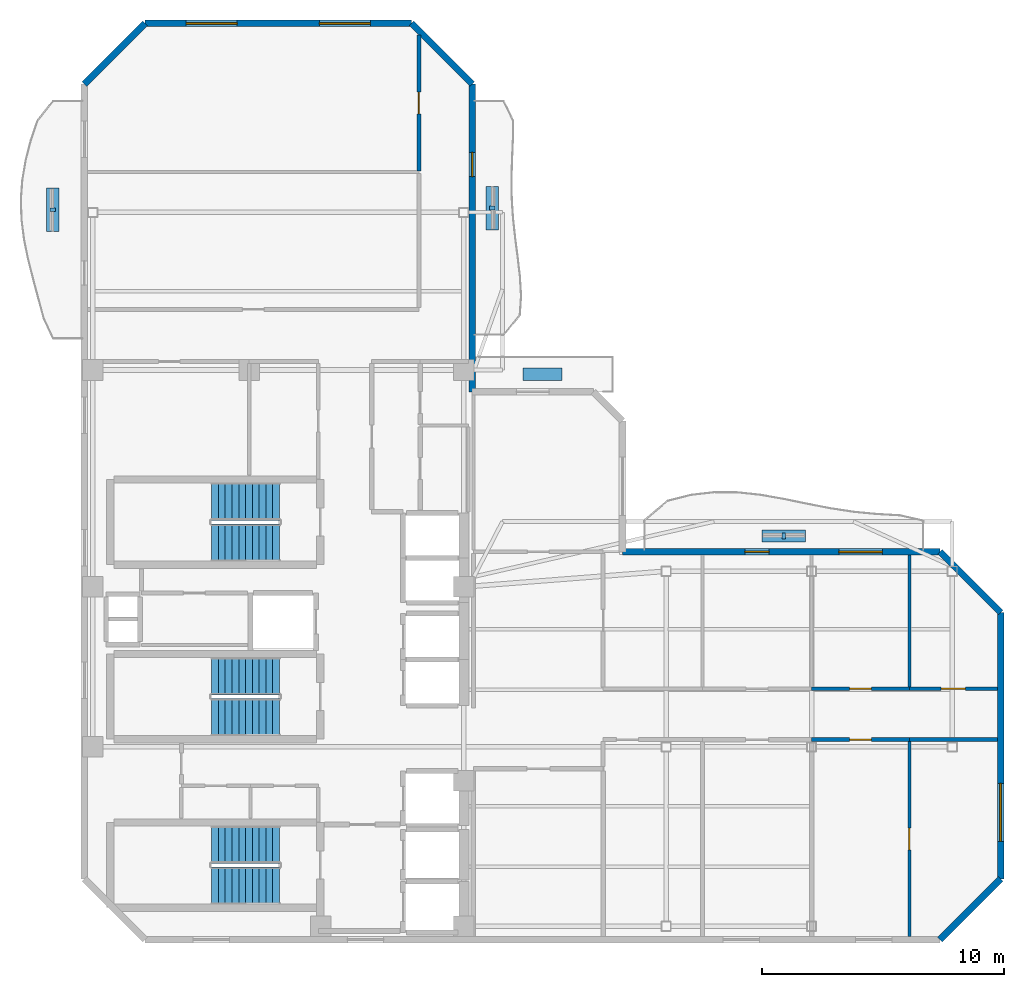
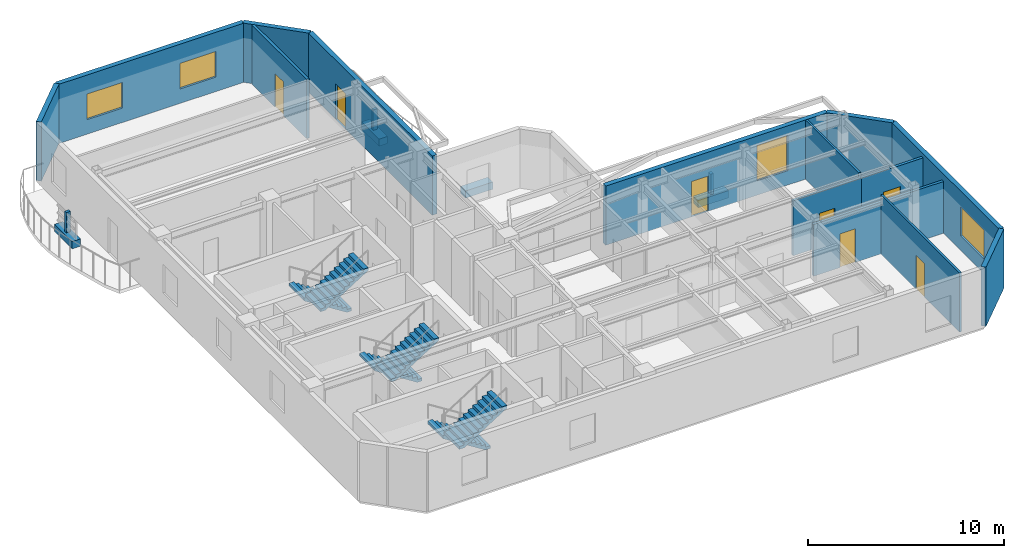
# One storey, part 5 of 8: 15 walls, 7 discrete accessories, 7 doors, 6 stair flights, 4 windows, 11 openings, 3 elements without a shape of their own.
"""IFC4 building model written with IfcOpenShell, lengths in metres."""

from ifc_helpers import new_model, si_unit, direction, frame, frame_2d, origin, origin_2d, place, context, subcontext, project, spatial, polyline, rectangle, outline, extrude, material, layer, layer_set, type_object, element, fill, aggregate, save


model = new_model("IFC4")

# Units and contexts
model_context = context("Model", 3, precision=1e-05, world=origin(), true_north=direction((0.0, 1.0)))
body_context = subcontext(model_context, "Body", "Model", "MODEL_VIEW")
ifc_project = project(units=[si_unit("LENGTHUNIT", "METRE"), si_unit("AREAUNIT", "SQUARE_METRE"), si_unit("VOLUMEUNIT", "CUBIC_METRE"), si_unit("PLANEANGLEUNIT", "RADIAN"), si_unit("MASSUNIT", "GRAM", prefix="KILO")], contexts=[model_context])

# Site, building, storey
site_placement = place(None, origin())
site = spatial("IfcSite", under=ifc_project, at=site_placement, CompositionType="ELEMENT")
building_placement = place(site_placement, origin())
building = spatial("IfcBuilding", under=site, at=building_placement, Name="Mawjaban Terraces University", CompositionType="ELEMENT")
storey_placement = place(building_placement, frame((0.0, 0.0, 267.699951171875)))
storey = spatial("IfcBuildingStorey", under=building, at=storey_placement, Name="L65", CompositionType="ELEMENT", Elevation=267.699951171875)

# Wall, opening, door
ifc_material_1 = material(Name="Fire-rated gypsum board on steel stud", Category="steel")
ifc_layer_1 = layer(ifc_material_1, 0.159912109375)
ifc_layer_set_1 = layer_set([ifc_layer_1], Name="Fire-rated gypsum board on steel stud")
wall_type_1 = type_object("IfcWallType", Name="CorridorPartition_160", PredefinedType="PARTITIONING", material=ifc_layer_set_1)
wall_1_placement = place(storey_placement, frame((52.0, 8.25, 0.0), z_axis=(0.0, 0.0, 1.0), x_axis=(1.0, 0.0, 0.0)))
wall_1 = element("IfcWall", 1, at=wall_1_placement, inside=storey, type_object=wall_type_1, Name="L65 Upper East Research Corridor Partition 20", PredefinedType="PARTITIONING", context=body_context, shape_type="SweptSolid", body=[
    extrude(rectangle(XDim=4.030029296875, YDim=0.159912109375, at=frame_2d((2.01513671875, 0.0))), origin(), (0.0, 0.0, 1.0), 3.22705078125),
])
opening_1_placement = place(wall_1_placement, frame((1.56494140625, 0.0, 0.0)))
opening_1 = element("IfcOpeningElement", 2, at=opening_1_placement, cuts=wall_1, Name="Opening ID-090", PredefinedType="OPENING", context=body_context, shape_type="SweptSolid", body=[
    extrude(rectangle(XDim=0.89990234375, YDim=2.10009765625, at=frame_2d((0.449951171875, 1.050048828125))), frame((0.0, 0.08984375, 0.0), z_axis=(0.0, -1.0, 0.0), x_axis=(1.0, 0.0, 0.0)), (0.0, 0.0, 1.0), 0.179931640625),
])
ifc_material_2 = material(Name="Powder-coated steel frame and solid acoustic timber leaf", Category="steel")
door_type_1 = type_object("IfcDoorType", Name="OfficeDoor_900x2100", OperationType="NOTDEFINED", PredefinedType="DOOR", material=ifc_material_2)
door_1_placement = place(opening_1_placement, origin())
door_1 = element("IfcDoor", 3, at=door_1_placement, inside=storey, type_object=door_type_1, Name="L65 Reading Salon 6 Door", OperationType="SINGLE_SWING_LEFT", OverallHeight=2.10009765625, OverallWidth=0.89990234375, PredefinedType="DOOR", context=body_context, shape_type="SweptSolid", body=[
    extrude(rectangle(XDim=0.89990234375, YDim=2.10009765625, at=frame_2d((0.449951171875, 1.050048828125))), frame((0.0, 0.02490234375, 0.0), z_axis=(0.0, -1.0, 0.0), x_axis=(1.0, 0.0, 0.0)), (0.0, 0.0, 1.0), 0.050048828125),
])
fill(opening_1, door_1)

# Wall
wall_2_placement = place(storey_placement, frame((56.030029296875, 8.25, 0.0), z_axis=(0.0, 0.0, 1.0), x_axis=(1.0, 0.0, 0.0)))
element("IfcWall", 4, at=wall_2_placement, inside=storey, type_object=wall_type_1, Name="L65 Upper East Research Corridor Partition 22", PredefinedType="PARTITIONING", context=body_context, shape_type="SweptSolid", body=[
    extrude(rectangle(XDim=3.636962890625, YDim=0.159912109375, at=frame_2d((1.818359375, 0.0))), origin(), (0.0, 0.0, 1.0), 3.22705078125),
])

# Wall, opening, door
wall_3_placement = place(storey_placement, frame((56.030029296875, 10.35009765625, 0.0), z_axis=(0.0, 0.0, 1.0), x_axis=(-1.0, 0.0, 0.0)))
wall_3 = element("IfcWall", 5, at=wall_3_placement, inside=storey, type_object=wall_type_1, Name="L65 Upper East Research Corridor Partition 23", PredefinedType="PARTITIONING", context=body_context, shape_type="SweptSolid", body=[
    extrude(rectangle(XDim=4.030029296875, YDim=0.159912109375, at=frame_2d((2.01513671875, 0.0))), origin(), (0.0, 0.0, 1.0), 3.424072265625),
])
opening_2_placement = place(wall_3_placement, frame((1.56494140625, 0.0, 0.0)))
opening_2 = element("IfcOpeningElement", 6, at=opening_2_placement, cuts=wall_3, Name="Opening ID-090", PredefinedType="OPENING", context=body_context, shape_type="SweptSolid", body=[
    extrude(rectangle(XDim=0.89990234375, YDim=2.10009765625, at=frame_2d((0.449951171875, 1.050048828125))), frame((0.0, 0.08984375, 0.0), z_axis=(0.0, -1.0, 0.0), x_axis=(1.0, 0.0, 0.0)), (0.0, 0.0, 1.0), 0.179931640625),
])
door_2_placement = place(opening_2_placement, origin())
door_2 = element("IfcDoor", 7, at=door_2_placement, inside=storey, type_object=door_type_1, Name="L65 Academic Counseling Room 7 Door", OperationType="SINGLE_SWING_RIGHT", OverallHeight=2.10009765625, OverallWidth=0.89990234375, PredefinedType="DOOR", context=body_context, shape_type="SweptSolid", body=[
    extrude(rectangle(XDim=0.89990234375, YDim=2.10009765625, at=frame_2d((0.449951171875, 1.050048828125))), frame((0.0, 0.02490234375, 0.0), z_axis=(0.0, -1.0, 0.0), x_axis=(1.0, 0.0, 0.0)), (0.0, 0.0, 1.0), 0.050048828125),
])
fill(opening_2, door_2)

wall_4_placement = place(storey_placement, frame((59.6669921875, 10.35009765625, 0.0), z_axis=(0.0, 0.0, 1.0), x_axis=(-1.0, 0.0, 0.0)))
wall_4 = element("IfcWall", 8, at=wall_4_placement, inside=storey, type_object=wall_type_1, Name="L65 Upper East Research Corridor Partition 24", PredefinedType="PARTITIONING", context=body_context, shape_type="SweptSolid", body=[
    extrude(rectangle(XDim=3.636962890625, YDim=0.159912109375, at=frame_2d((1.818359375, 0.0))), origin(), (0.0, 0.0, 1.0), 3.424072265625),
])
opening_3_placement = place(wall_4_placement, frame((1.319091796875, 0.0, 0.0)))
opening_3 = element("IfcOpeningElement", 9, at=opening_3_placement, cuts=wall_4, Name="Opening ID-100", PredefinedType="OPENING", context=body_context, shape_type="SweptSolid", body=[
    extrude(rectangle(XDim=1.0, YDim=2.10009765625, at=frame_2d((0.5, 1.050048828125))), frame((0.0, 0.08984375, 0.0), z_axis=(0.0, -1.0, 0.0), x_axis=(1.0, 0.0, 0.0)), (0.0, 0.0, 1.0), 0.179931640625),
])
door_type_2 = type_object("IfcDoorType", Name="ClassroomDoor_1000x2100", OperationType="NOTDEFINED", PredefinedType="DOOR", material=ifc_material_2)
door_3_placement = place(opening_3_placement, origin())
door_3 = element("IfcDoor", 10, at=door_3_placement, inside=storey, type_object=door_type_2, Name="L65 Classroom 9 Door", OperationType="SINGLE_SWING_RIGHT", OverallHeight=2.10009765625, OverallWidth=1.0, PredefinedType="DOOR", context=body_context, shape_type="SweptSolid", body=[
    extrude(rectangle(XDim=1.0, YDim=2.10009765625, at=frame_2d((0.5, 1.050048828125))), frame((0.0, 0.02490234375, 0.0), z_axis=(0.0, -1.0, 0.0), x_axis=(1.0, 0.0, 0.0)), (0.0, 0.0, 1.0), 0.050048828125),
])
fill(opening_3, door_3)

wall_5_placement = place(storey_placement, frame((35.800048828125, 37.31298828125, 0.0), z_axis=(0.0, 0.0, 1.0), x_axis=(0.0, -1.0, 0.0)))
wall_5 = element("IfcWall", 11, at=wall_5_placement, inside=storey, type_object=wall_type_1, Name="L65 Upper North Research Gallery Partition 34", PredefinedType="PARTITIONING", context=body_context, shape_type="SweptSolid", body=[
    extrude(rectangle(XDim=5.594970703125, YDim=0.159912109375, at=frame_2d((2.79736328125, 0.0))), origin(), (0.0, 0.0, 1.0), 3.68994140625),
])
opening_4_placement = place(wall_5_placement, frame((2.347900390625, 0.0, 0.0)))
opening_4 = element("IfcOpeningElement", 12, at=opening_4_placement, cuts=wall_5, Name="Opening ID-090", PredefinedType="OPENING", context=body_context, shape_type="SweptSolid", body=[
    extrude(rectangle(XDim=0.89990234375, YDim=2.10009765625, at=frame_2d((0.449951171875, 1.050048828125))), frame((0.0, 0.08984375, 0.0), z_axis=(0.0, -1.0, 0.0), x_axis=(1.0, 0.0, 0.0)), (0.0, 0.0, 1.0), 0.179931640625),
])
door_4_placement = place(opening_4_placement, origin())
door_4 = element("IfcDoor", 13, at=door_4_placement, inside=storey, type_object=door_type_1, Name="L65 Faculty Office 11 Door", OperationType="SINGLE_SWING_RIGHT", OverallHeight=2.10009765625, OverallWidth=0.89990234375, PredefinedType="DOOR", context=body_context, shape_type="SweptSolid", body=[
    extrude(rectangle(XDim=0.89990234375, YDim=2.10009765625, at=frame_2d((0.449951171875, 1.050048828125))), frame((0.0, 0.02490234375, 0.0), z_axis=(0.0, -1.0, 0.0), x_axis=(1.0, 0.0, 0.0)), (0.0, 0.0, 1.0), 0.050048828125),
])
fill(opening_4, door_4)

# Wall
ifc_material_3 = material(Name="Insulated terracotta rainscreen on concrete backup C40/50", Category="masonry")
ifc_layer_2 = layer(ifc_material_3, 0.27490234375)
ifc_layer_set_2 = layer_set([ifc_layer_2], Name="Insulated terracotta rainscreen on concrete backup C40/50")
wall_type_2 = type_object("IfcWallType", Name="ExtTerracottaWall_275", PredefinedType="SOLIDWALL", material=ifc_layer_set_2)
wall_6_placement = place(storey_placement, frame((57.300048828125, 0.0, 0.0), z_axis=(0.0, 0.0, 1.0), x_axis=(0.707106781187, 0.707106781187, 0.0)))
element("IfcWall", 14, at=wall_6_placement, inside=storey, type_object=wall_type_2, Name="L65 Exterior Terracotta Wall 2", PredefinedType="SOLIDWALL", context=body_context, shape_type="SweptSolid", body=[
    extrude(rectangle(XDim=3.53564453125, YDim=0.27490234375, at=frame_2d((1.767822265625, 0.0))), origin(), (0.0, 0.0, 1.0), 3.68994140625),
])

# Wall, opening, window
wall_7_placement = place(storey_placement, frame((59.800048828125, 2.5, 0.0), z_axis=(0.0, 0.0, 1.0), x_axis=(0.0, 1.0, 0.0)))
wall_7 = element("IfcWall", 15, at=wall_7_placement, inside=storey, type_object=wall_type_2, Name="L65 Exterior Terracotta Wall 3", PredefinedType="SOLIDWALL", context=body_context, shape_type="SweptSolid", body=[
    extrude(rectangle(XDim=11.0, YDim=0.27490234375, at=frame_2d((5.5, 0.0))), origin(), (0.0, 0.0, 1.0), 3.68994140625),
])
opening_5_placement = place(wall_7_placement, frame((1.550048828125, 0.0, 0.89990234375)))
opening_5 = element("IfcOpeningElement", 16, at=opening_5_placement, cuts=wall_7, Name="Opening W-08", PredefinedType="OPENING", context=body_context, shape_type="SweptSolid", body=[
    extrude(rectangle(XDim=2.39990234375, YDim=1.800048828125, at=frame_2d((1.199951171875, 0.89990234375))), frame((0.0, 0.1474609375, 0.0), z_axis=(0.0, -1.0, 0.0), x_axis=(1.0, 0.0, 0.0)), (0.0, 0.0, 1.0), 0.294921875),
])
ifc_material_4 = material(Name="Low-E solar-control double glazing in thermally broken aluminium frame", Category="aluminium")
window_type_1 = type_object("IfcWindowType", Name="Win_2400x1800", PartitioningType="SINGLE_PANEL", PredefinedType="WINDOW", material=ifc_material_4)
window_1_placement = place(opening_5_placement, origin())
window_1 = element("IfcWindow", 17, at=window_1_placement, inside=storey, type_object=window_type_1, Name="L65 Facade Window 3.1", OverallHeight=1.800048828125, OverallWidth=2.39990234375, PartitioningType="SINGLE_PANEL", PredefinedType="WINDOW", context=body_context, shape_type="SweptSolid", body=[
    extrude(rectangle(XDim=2.39990234375, YDim=1.800048828125, at=frame_2d((1.199951171875, 0.89990234375))), frame((0.0, 0.030029296875, 0.0), z_axis=(0.0, -1.0, 0.0), x_axis=(1.0, 0.0, 0.0)), (0.0, 0.0, 1.0), 0.06005859375),
])
fill(opening_5, window_1)

# Wall
wall_8_placement = place(storey_placement, frame((59.800048828125, 13.5, 0.0), z_axis=(0.0, 0.0, 1.0), x_axis=(-0.707106781187, 0.707106781187, 0.0)))
element("IfcWall", 18, at=wall_8_placement, inside=storey, type_object=wall_type_2, Name="L65 Exterior Terracotta Wall 4", PredefinedType="SOLIDWALL", context=body_context, shape_type="SweptSolid", body=[
    extrude(rectangle(XDim=3.53564453125, YDim=0.27490234375, at=frame_2d((1.767822265625, 0.0))), origin(), (0.0, 0.0, 1.0), 3.68994140625),
])

# Wall, openings, door, window
wall_9_placement = place(storey_placement, frame((57.300048828125, 16.0, 0.0), z_axis=(0.0, 0.0, 1.0), x_axis=(-1.0, 0.0, 0.0)))
wall_9 = element("IfcWall", 19, at=wall_9_placement, inside=storey, type_object=wall_type_2, Name="L65 Exterior Terracotta Wall 5", PredefinedType="SOLIDWALL", context=body_context, shape_type="SweptSolid", body=[
    extrude(rectangle(XDim=13.10009765625, YDim=0.27490234375, at=frame_2d((6.550048828125, 0.0))), origin(), (0.0, 0.0, 1.0), 3.68994140625),
])
opening_6_placement = place(wall_9_placement, frame((7.050048828125, 0.0, 0.0)))
opening_6 = element("IfcOpeningElement", 20, at=opening_6_placement, cuts=wall_9, Name="Opening BD-100", PredefinedType="OPENING", context=body_context, shape_type="SweptSolid", body=[
    extrude(rectangle(XDim=1.0, YDim=2.199951171875, at=frame_2d((0.5, 1.10009765625))), frame((0.0, 0.1474609375, 0.0), z_axis=(0.0, -1.0, 0.0), x_axis=(1.0, 0.0, 0.0)), (0.0, 0.0, 1.0), 0.294921875),
])
opening_7_placement = place(wall_9_placement, frame((2.375, 0.0, 0.89990234375)))
opening_7 = element("IfcOpeningElement", 21, at=opening_7_placement, cuts=wall_9, Name="Opening W-10", PredefinedType="OPENING", context=body_context, shape_type="SweptSolid", body=[
    extrude(rectangle(XDim=1.800048828125, YDim=2.199951171875, at=frame_2d((0.89990234375, 1.10009765625))), frame((0.0, 0.1474609375, 0.0), z_axis=(0.0, -1.0, 0.0), x_axis=(1.0, 0.0, 0.0)), (0.0, 0.0, 1.0), 0.294921875),
])
ifc_material_5 = material(Name="Thermally broken anodised aluminium and laminated safety glass", Category="aluminium")
door_type_3 = type_object("IfcDoorType", Name="BalconyGlazedDoor_1000x2200", OperationType="NOTDEFINED", PredefinedType="DOOR", material=ifc_material_5)
door_5_placement = place(opening_6_placement, origin())
door_5 = element("IfcDoor", 22, at=door_5_placement, inside=storey, type_object=door_type_3, Name="L65 Balcony Access Door inner_north", OperationType="SINGLE_SWING_RIGHT", OverallHeight=2.199951171875, OverallWidth=1.0, PredefinedType="DOOR", context=body_context, shape_type="SweptSolid", body=[
    extrude(rectangle(XDim=1.0, YDim=2.199951171875, at=frame_2d((0.5, 1.10009765625))), frame((0.0, 0.02490234375, 0.0), z_axis=(0.0, -1.0, 0.0), x_axis=(1.0, 0.0, 0.0)), (0.0, 0.0, 1.0), 0.050048828125),
])
fill(opening_6, door_5)
window_type_2 = type_object("IfcWindowType", Name="Win_1800x2200", PartitioningType="SINGLE_PANEL", PredefinedType="WINDOW", material=ifc_material_4)
window_2_placement = place(opening_7_placement, origin())
window_2 = element("IfcWindow", 23, at=window_2_placement, inside=storey, type_object=window_type_2, Name="L65 Facade Window 5.1", OverallHeight=2.199951171875, OverallWidth=1.800048828125, PartitioningType="SINGLE_PANEL", PredefinedType="WINDOW", context=body_context, shape_type="SweptSolid", body=[
    extrude(rectangle(XDim=1.800048828125, YDim=2.199951171875, at=frame_2d((0.89990234375, 1.10009765625))), frame((0.0, 0.030029296875, 0.0), z_axis=(0.0, -1.0, 0.0), x_axis=(1.0, 0.0, 0.0)), (0.0, 0.0, 1.0), 0.06005859375),
])
fill(opening_7, window_2)

# Wall, opening, door
wall_10_placement = place(storey_placement, frame((38.0, 22.60009765625, 0.0), z_axis=(0.0, 0.0, 1.0), x_axis=(0.0, 1.0, 0.0)))
wall_10 = element("IfcWall", 24, at=wall_10_placement, inside=storey, type_object=wall_type_2, Name="L65 Exterior Terracotta Wall 9", PredefinedType="SOLIDWALL", context=body_context, shape_type="SweptSolid", body=[
    extrude(rectangle(XDim=12.699951171875, YDim=0.27490234375, at=frame_2d((6.35009765625, 0.0))), origin(), (0.0, 0.0, 1.0), 3.68994140625),
])
opening_8_placement = place(wall_10_placement, frame((8.875, 0.0, 0.0)))
opening_8 = element("IfcOpeningElement", 25, at=opening_8_placement, cuts=wall_10, Name="Opening BD-100", PredefinedType="OPENING", context=body_context, shape_type="SweptSolid", body=[
    extrude(rectangle(XDim=1.0, YDim=2.199951171875, at=frame_2d((0.5, 1.10009765625))), frame((0.0, 0.1474609375, 0.0), z_axis=(0.0, -1.0, 0.0), x_axis=(1.0, 0.0, 0.0)), (0.0, 0.0, 1.0), 0.294921875),
])
door_6_placement = place(opening_8_placement, origin())
door_6 = element("IfcDoor", 26, at=door_6_placement, inside=storey, type_object=door_type_3, Name="L65 Balcony Access Door inner_east", OperationType="SINGLE_SWING_RIGHT", OverallHeight=2.199951171875, OverallWidth=1.0, PredefinedType="DOOR", context=body_context, shape_type="SweptSolid", body=[
    extrude(rectangle(XDim=1.0, YDim=2.199951171875, at=frame_2d((0.5, 1.10009765625))), frame((0.0, 0.02490234375, 0.0), z_axis=(0.0, -1.0, 0.0), x_axis=(1.0, 0.0, 0.0)), (0.0, 0.0, 1.0), 0.050048828125),
])
fill(opening_8, door_6)

# Wall
wall_11_placement = place(storey_placement, frame((38.0, 35.300048828125, 0.0), z_axis=(0.0, 0.0, 1.0), x_axis=(-0.707106781187, 0.707106781187, 0.0)))
element("IfcWall", 27, at=wall_11_placement, inside=storey, type_object=wall_type_2, Name="L65 Exterior Terracotta Wall 10", PredefinedType="SOLIDWALL", context=body_context, shape_type="SweptSolid", body=[
    extrude(rectangle(XDim=3.53564453125, YDim=0.27490234375, at=frame_2d((1.767822265625, 0.0))), origin(), (0.0, 0.0, 1.0), 3.68994140625),
])

# Wall, openings, windows
wall_12_placement = place(storey_placement, frame((35.5, 37.800048828125, 0.0), z_axis=(0.0, 0.0, 1.0), x_axis=(-1.0, 0.0, 0.0)))
wall_12 = element("IfcWall", 28, at=wall_12_placement, inside=storey, type_object=wall_type_2, Name="L65 Exterior Terracotta Wall 11", PredefinedType="SOLIDWALL", context=body_context, shape_type="SweptSolid", body=[
    extrude(rectangle(XDim=11.0, YDim=0.27490234375, at=frame_2d((5.5, 0.0))), origin(), (0.0, 0.0, 1.0), 3.68994140625),
])
opening_9_placement = place(wall_12_placement, frame((1.699951171875, 0.0, 0.89990234375)))
opening_9 = element("IfcOpeningElement", 29, at=opening_9_placement, cuts=wall_12, Name="Opening W-04", PredefinedType="OPENING", context=body_context, shape_type="SweptSolid", body=[
    extrude(rectangle(XDim=2.10009765625, YDim=1.60009765625, at=frame_2d((1.050048828125, 0.800048828125))), frame((0.0, 0.1474609375, 0.0), z_axis=(0.0, -1.0, 0.0), x_axis=(1.0, 0.0, 0.0)), (0.0, 0.0, 1.0), 0.294921875),
])
opening_10_placement = place(wall_12_placement, frame((7.199951171875, 0.0, 0.89990234375)))
opening_10 = element("IfcOpeningElement", 30, at=opening_10_placement, cuts=wall_12, Name="Opening W-04", PredefinedType="OPENING", context=body_context, shape_type="SweptSolid", body=[
    extrude(rectangle(XDim=2.10009765625, YDim=1.60009765625, at=frame_2d((1.050048828125, 0.800048828125))), frame((0.0, 0.1474609375, 0.0), z_axis=(0.0, -1.0, 0.0), x_axis=(1.0, 0.0, 0.0)), (0.0, 0.0, 1.0), 0.294921875),
])
window_type_3 = type_object("IfcWindowType", Name="Win_2100x1600", PartitioningType="SINGLE_PANEL", PredefinedType="WINDOW", material=ifc_material_4)
window_3_placement = place(opening_9_placement, origin())
window_3 = element("IfcWindow", 31, at=window_3_placement, inside=storey, type_object=window_type_3, Name="L65 Facade Window 11.1", OverallHeight=1.60009765625, OverallWidth=2.10009765625, PartitioningType="SINGLE_PANEL", PredefinedType="WINDOW", context=body_context, shape_type="SweptSolid", body=[
    extrude(rectangle(XDim=2.10009765625, YDim=1.60009765625, at=frame_2d((1.050048828125, 0.800048828125))), frame((0.0, 0.030029296875, 0.0), z_axis=(0.0, -1.0, 0.0), x_axis=(1.0, 0.0, 0.0)), (0.0, 0.0, 1.0), 0.06005859375),
])
fill(opening_9, window_3)
window_4_placement = place(opening_10_placement, origin())
window_4 = element("IfcWindow", 32, at=window_4_placement, inside=storey, type_object=window_type_3, Name="L65 Facade Window 11.2", OverallHeight=1.60009765625, OverallWidth=2.10009765625, PartitioningType="SINGLE_PANEL", PredefinedType="WINDOW", context=body_context, shape_type="SweptSolid", body=[
    extrude(rectangle(XDim=2.10009765625, YDim=1.60009765625, at=frame_2d((1.050048828125, 0.800048828125))), frame((0.0, 0.030029296875, 0.0), z_axis=(0.0, -1.0, 0.0), x_axis=(1.0, 0.0, 0.0)), (0.0, 0.0, 1.0), 0.06005859375),
])
fill(opening_10, window_4)

# Wall
wall_13_placement = place(storey_placement, frame((24.5, 37.800048828125, 0.0), z_axis=(0.0, 0.0, 1.0), x_axis=(-0.707106781187, -0.707106781187, 0.0)))
element("IfcWall", 33, at=wall_13_placement, inside=storey, type_object=wall_type_2, Name="L65 Exterior Terracotta Wall 12", PredefinedType="SOLIDWALL", context=body_context, shape_type="SweptSolid", body=[
    extrude(rectangle(XDim=3.53564453125, YDim=0.27490234375, at=frame_2d((1.767822265625, 0.0))), origin(), (0.0, 0.0, 1.0), 3.68994140625),
])

# Wall, opening, door
ifc_material_6 = material(Name="Gypsum plasterboard on steel stud", Category="steel")
ifc_layer_3 = layer(ifc_material_6, 0.125)
ifc_layer_set_3 = layer_set([ifc_layer_3], Name="Gypsum plasterboard on steel stud")
wall_type_3 = type_object("IfcWallType", Name="OfficePartition_125", PredefinedType="PARTITIONING", material=ifc_layer_set_3)
wall_14_placement = place(storey_placement, frame((56.030029296875, 0.133056640625, 0.0), z_axis=(0.0, 0.0, 1.0), x_axis=(0.0, 1.0, 0.0)))
wall_14 = element("IfcWall", 34, at=wall_14_placement, inside=storey, type_object=wall_type_3, Name="L65 Reading Salon 6 Partition 48", PredefinedType="PARTITIONING", context=body_context, shape_type="SweptSolid", body=[
    extrude(rectangle(XDim=8.0419921875, YDim=0.125, at=frame_2d((4.02099609375, 0.0))), origin(), (0.0, 0.0, 1.0), 3.68994140625),
])
opening_11_placement = place(wall_14_placement, frame((3.571044921875, 0.0, 0.0)))
opening_11 = element("IfcOpeningElement", 35, at=opening_11_placement, cuts=wall_14, Name="Opening ID-090", PredefinedType="OPENING", context=body_context, shape_type="SweptSolid", body=[
    extrude(rectangle(XDim=0.89990234375, YDim=2.10009765625, at=frame_2d((0.449951171875, 1.050048828125))), frame((0.0, 0.072509765625, 0.0), z_axis=(0.0, -1.0, 0.0), x_axis=(1.0, 0.0, 0.0)), (0.0, 0.0, 1.0), 0.14501953125),
])
door_7_placement = place(opening_11_placement, origin())
door_7 = element("IfcDoor", 36, at=door_7_placement, inside=storey, type_object=door_type_1, Name="L65 Academic Counseling Room 8 Door", OperationType="SINGLE_SWING_LEFT", OverallHeight=2.10009765625, OverallWidth=0.89990234375, PredefinedType="DOOR", context=body_context, shape_type="SweptSolid", body=[
    extrude(rectangle(XDim=0.89990234375, YDim=2.10009765625, at=frame_2d((0.449951171875, 1.050048828125))), frame((0.0, 0.02490234375, 0.0), z_axis=(0.0, -1.0, 0.0), x_axis=(1.0, 0.0, 0.0)), (0.0, 0.0, 1.0), 0.050048828125),
])
fill(opening_11, door_7)

# Wall
wall_15_placement = place(storey_placement, frame((56.030029296875, 10.425048828125, 0.0), z_axis=(0.0, 0.0, 1.0), x_axis=(0.0, 1.0, 0.0)))
element("IfcWall", 37, at=wall_15_placement, inside=storey, type_object=wall_type_3, Name="L65 Academic Counseling Room 7 Partition 49", PredefinedType="PARTITIONING", context=body_context, shape_type="SweptSolid", body=[
    extrude(rectangle(XDim=5.44189453125, YDim=0.125, at=frame_2d((2.720947265625, 0.0))), origin(), (0.0, 0.0, 1.0), 3.68994140625),
])

# Stair, stair flights
ifc_material_7 = material(Name="Concrete C40/50", Category="concrete")
stair_type = type_object("IfcStairType", Name="Stair_Core1550_H39", PredefinedType="HALF_TURN_STAIR", material=ifc_material_7)
stair_1_placement = place(storey_placement, origin())
stair_1 = element("IfcStair", 38, at=stair_1_placement, inside=storey, type_object=stair_type, Name="L65 Core Exit Stair 1", PredefinedType="HALF_TURN_STAIR")
stair_flight_type = type_object("IfcStairFlightType", Name="Flight_Core1550_H39", PredefinedType="STRAIGHT", material=ifc_material_7)
stair_flight_1_placement = place(storey_placement, frame((30.050048828125, 3.925048828125, 0.0), z_axis=(0.0, 0.0, 1.0), x_axis=(-1.0, 0.0, 0.0)))
stair_flight_1 = element("IfcStairFlight", 39, at=stair_flight_1_placement, type_object=stair_flight_type, Name="ST-1 flight 1", NumberOfRisers=11, NumberOfTreads=10, PredefinedType="STRAIGHT", RiserHeight=0.177272727, TreadLength=0.28, context=body_context, shape_type="SweptSolid", body=[
    extrude(outline(polyline([(0.0, 0.0), (0.0, 0.17724609375), (0.280029296875, 0.17724609375), (0.280029296875, 0.3544921875), (0.56005859375, 0.3544921875), (0.56005859375, 0.53173828125), (0.840087890625, 0.53173828125), (0.840087890625, 0.708984375), (1.1201171875, 0.708984375), (1.1201171875, 0.886474609375), (1.39990234375, 0.886474609375), (1.39990234375, 1.063720703125), (1.679931640625, 1.063720703125), (1.679931640625, 1.240966796875), (1.9599609375, 1.240966796875), (1.9599609375, 1.418212890625), (2.239990234375, 1.418212890625), (2.239990234375, 1.595458984375), (2.52001953125, 1.595458984375), (2.52001953125, 1.772705078125), (2.800048828125, 1.772705078125), (2.800048828125, 1.949951171875), (2.800048828125, 1.59521484375), (0.2802734375, 0.0), (0.0, 0.0)])), frame((0.0, 0.77490234375, 0.0), z_axis=(0.0, -1.0, 0.0), x_axis=(1.0, 0.0, 0.0)), (0.0, 0.0, 1.0), 1.550048828125),
])
stair_flight_2_placement = place(storey_placement, frame((27.25, 2.22509765625, 1.949951171875), z_axis=(0.0, 0.0, 1.0), x_axis=(1.0, 0.0, 0.0)))
stair_flight_2 = element("IfcStairFlight", 40, at=stair_flight_2_placement, type_object=stair_flight_type, Name="ST-1 flight 2", NumberOfRisers=11, NumberOfTreads=10, PredefinedType="STRAIGHT", RiserHeight=0.177272727, TreadLength=0.28, context=body_context, shape_type="SweptSolid", body=[
    extrude(outline(polyline([(0.0, 0.0), (0.0, 0.17724609375), (0.280029296875, 0.17724609375), (0.280029296875, 0.3544921875), (0.56005859375, 0.3544921875), (0.56005859375, 0.53173828125), (0.840087890625, 0.53173828125), (0.840087890625, 0.708984375), (1.1201171875, 0.708984375), (1.1201171875, 0.886474609375), (1.39990234375, 0.886474609375), (1.39990234375, 1.063720703125), (1.679931640625, 1.063720703125), (1.679931640625, 1.240966796875), (1.9599609375, 1.240966796875), (1.9599609375, 1.418212890625), (2.239990234375, 1.418212890625), (2.239990234375, 1.595458984375), (2.52001953125, 1.595458984375), (2.52001953125, 1.772705078125), (2.800048828125, 1.772705078125), (2.800048828125, 1.949951171875), (2.800048828125, 1.59521484375), (0.2802734375, 0.0), (0.0, 0.0)])), frame((0.0, 0.77490234375, 0.0), z_axis=(0.0, -1.0, 0.0), x_axis=(1.0, 0.0, 0.0)), (0.0, 0.0, 1.0), 1.550048828125),
])
aggregate(stair_1, [stair_flight_1, stair_flight_2])

stair_2_placement = place(storey_placement, origin())
stair_2 = element("IfcStair", 41, at=stair_2_placement, inside=storey, type_object=stair_type, Name="L65 Core Exit Stair 2", PredefinedType="HALF_TURN_STAIR")
stair_flight_3_placement = place(storey_placement, frame((30.050048828125, 18.074951171875, 0.0), z_axis=(0.0, 0.0, 1.0), x_axis=(-1.0, 0.0, 0.0)))
stair_flight_3 = element("IfcStairFlight", 42, at=stair_flight_3_placement, type_object=stair_flight_type, Name="ST-2 flight 1", NumberOfRisers=11, NumberOfTreads=10, PredefinedType="STRAIGHT", RiserHeight=0.177272727, TreadLength=0.28, context=body_context, shape_type="SweptSolid", body=[
    extrude(outline(polyline([(0.0, 0.0), (0.0, 0.17724609375), (0.280029296875, 0.17724609375), (0.280029296875, 0.3544921875), (0.56005859375, 0.3544921875), (0.56005859375, 0.53173828125), (0.840087890625, 0.53173828125), (0.840087890625, 0.708984375), (1.1201171875, 0.708984375), (1.1201171875, 0.886474609375), (1.39990234375, 0.886474609375), (1.39990234375, 1.063720703125), (1.679931640625, 1.063720703125), (1.679931640625, 1.240966796875), (1.9599609375, 1.240966796875), (1.9599609375, 1.418212890625), (2.239990234375, 1.418212890625), (2.239990234375, 1.595458984375), (2.52001953125, 1.595458984375), (2.52001953125, 1.772705078125), (2.800048828125, 1.772705078125), (2.800048828125, 1.949951171875), (2.800048828125, 1.59521484375), (0.2802734375, 0.0), (0.0, 0.0)])), frame((0.0, 0.77490234375, 0.0), z_axis=(0.0, -1.0, 0.0), x_axis=(1.0, 0.0, 0.0)), (0.0, 0.0, 1.0), 1.550048828125),
])
stair_flight_4_placement = place(storey_placement, frame((27.25, 16.375, 1.949951171875), z_axis=(0.0, 0.0, 1.0), x_axis=(1.0, 0.0, 0.0)))
stair_flight_4 = element("IfcStairFlight", 43, at=stair_flight_4_placement, type_object=stair_flight_type, Name="ST-2 flight 2", NumberOfRisers=11, NumberOfTreads=10, PredefinedType="STRAIGHT", RiserHeight=0.177272727, TreadLength=0.28, context=body_context, shape_type="SweptSolid", body=[
    extrude(outline(polyline([(0.0, 0.0), (0.0, 0.17724609375), (0.280029296875, 0.17724609375), (0.280029296875, 0.3544921875), (0.56005859375, 0.3544921875), (0.56005859375, 0.53173828125), (0.840087890625, 0.53173828125), (0.840087890625, 0.708984375), (1.1201171875, 0.708984375), (1.1201171875, 0.886474609375), (1.39990234375, 0.886474609375), (1.39990234375, 1.063720703125), (1.679931640625, 1.063720703125), (1.679931640625, 1.240966796875), (1.9599609375, 1.240966796875), (1.9599609375, 1.418212890625), (2.239990234375, 1.418212890625), (2.239990234375, 1.595458984375), (2.52001953125, 1.595458984375), (2.52001953125, 1.772705078125), (2.800048828125, 1.772705078125), (2.800048828125, 1.949951171875), (2.800048828125, 1.59521484375), (0.2802734375, 0.0), (0.0, 0.0)])), frame((0.0, 0.77490234375, 0.0), z_axis=(0.0, -1.0, 0.0), x_axis=(1.0, 0.0, 0.0)), (0.0, 0.0, 1.0), 1.550048828125),
])
aggregate(stair_2, [stair_flight_3, stair_flight_4])

stair_3_placement = place(storey_placement, origin())
stair_3 = element("IfcStair", 44, at=stair_3_placement, inside=storey, type_object=stair_type, Name="L65 Core Exit Stair 3", PredefinedType="HALF_TURN_STAIR")
stair_flight_5_placement = place(storey_placement, frame((30.050048828125, 10.875, 0.0), z_axis=(0.0, 0.0, 1.0), x_axis=(-1.0, 0.0, 0.0)))
stair_flight_5 = element("IfcStairFlight", 45, at=stair_flight_5_placement, type_object=stair_flight_type, Name="ST-3 flight 1", NumberOfRisers=11, NumberOfTreads=10, PredefinedType="STRAIGHT", RiserHeight=0.177272727, TreadLength=0.28, context=body_context, shape_type="SweptSolid", body=[
    extrude(outline(polyline([(0.0, 0.0), (0.0, 0.17724609375), (0.280029296875, 0.17724609375), (0.280029296875, 0.3544921875), (0.56005859375, 0.3544921875), (0.56005859375, 0.53173828125), (0.840087890625, 0.53173828125), (0.840087890625, 0.708984375), (1.1201171875, 0.708984375), (1.1201171875, 0.886474609375), (1.39990234375, 0.886474609375), (1.39990234375, 1.063720703125), (1.679931640625, 1.063720703125), (1.679931640625, 1.240966796875), (1.9599609375, 1.240966796875), (1.9599609375, 1.418212890625), (2.239990234375, 1.418212890625), (2.239990234375, 1.595458984375), (2.52001953125, 1.595458984375), (2.52001953125, 1.772705078125), (2.800048828125, 1.772705078125), (2.800048828125, 1.949951171875), (2.800048828125, 1.59521484375), (0.2802734375, 0.0), (0.0, 0.0)])), frame((0.0, 0.77490234375, 0.0), z_axis=(0.0, -1.0, 0.0), x_axis=(1.0, 0.0, 0.0)), (0.0, 0.0, 1.0), 1.550048828125),
])
stair_flight_6_placement = place(storey_placement, frame((27.25, 9.175048828125, 1.949951171875), z_axis=(0.0, 0.0, 1.0), x_axis=(1.0, 0.0, 0.0)))
stair_flight_6 = element("IfcStairFlight", 46, at=stair_flight_6_placement, type_object=stair_flight_type, Name="ST-3 flight 2", NumberOfRisers=11, NumberOfTreads=10, PredefinedType="STRAIGHT", RiserHeight=0.177272727, TreadLength=0.28, context=body_context, shape_type="SweptSolid", body=[
    extrude(outline(polyline([(0.0, 0.0), (0.0, 0.17724609375), (0.280029296875, 0.17724609375), (0.280029296875, 0.3544921875), (0.56005859375, 0.3544921875), (0.56005859375, 0.53173828125), (0.840087890625, 0.53173828125), (0.840087890625, 0.708984375), (1.1201171875, 0.708984375), (1.1201171875, 0.886474609375), (1.39990234375, 0.886474609375), (1.39990234375, 1.063720703125), (1.679931640625, 1.063720703125), (1.679931640625, 1.240966796875), (1.9599609375, 1.240966796875), (1.9599609375, 1.418212890625), (2.239990234375, 1.418212890625), (2.239990234375, 1.595458984375), (2.52001953125, 1.595458984375), (2.52001953125, 1.772705078125), (2.800048828125, 1.772705078125), (2.800048828125, 1.949951171875), (2.800048828125, 1.59521484375), (0.2802734375, 0.0), (0.0, 0.0)])), frame((0.0, 0.77490234375, 0.0), z_axis=(0.0, -1.0, 0.0), x_axis=(1.0, 0.0, 0.0)), (0.0, 0.0, 1.0), 1.550048828125),
])
aggregate(stair_3, [stair_flight_5, stair_flight_6])

# Discrete accessories
ifc_material_8 = material(Name="Stainless steel 316L", Category="steel")
discrete_accessory_type_1 = type_object("IfcDiscreteAccessoryType", Name="FacadeScreenBracket_Steel", PredefinedType="BRACKET", material=ifc_material_8)
for number, where, z_axis, x_axis, name in (
    (47, (20.697021484375, 30.10791015625, 0.419921875), (0.0, 0.0, 1.0), (0.0, 1.0, 0.0), "L65 Balcony Screen Support Bracket west"),
    (48, (50.85009765625, 16.64501953125, 0.419921875), (0.0, 0.0, 1.0), (1.0, 0.0, 0.0), "L65 Balcony Screen Support Bracket inner_north"),
    (49, (38.826904296875, 30.177001953125, 0.419921875), (0.0, 0.0, 1.0), (0.0, 1.0, 0.0), "L65 Balcony Screen Support Bracket inner_east"),
):
    element("IfcDiscreteAccessory", number, at=place(storey_placement, frame(where, z_axis=z_axis, x_axis=x_axis)), inside=storey, type_object=discrete_accessory_type_1, Name=name, PredefinedType="BRACKET", context=body_context, shape_type="SweptSolid", body=[
        extrude(rectangle(XDim=0.159912109375, YDim=0.239990234375, at=origin_2d()), origin(), (0.0, 0.0, 1.0), 1.300048828125),
    ])
ifc_material_9 = material(Name="Precast architectural terracotta planter with engineered planting soil", Category="masonry")
discrete_accessory_type_2 = type_object("IfcDiscreteAccessoryType", Name="IrrigatedPlanterTrough_450", PredefinedType="USERDEFINED", material=ifc_material_9)
for number, where, z_axis, x_axis, name in (
    (50, (20.697021484375, 30.10791015625, -0.0048828125), (0.0, 0.0, 1.0), (0.0, 1.0, 0.0), "L65 Balcony Irrigated Planter west"),
    (51, (50.85009765625, 16.64501953125, -0.0048828125), (0.0, 0.0, 1.0), (1.0, 0.0, 0.0), "L65 Balcony Irrigated Planter inner_north"),
    (52, (38.826904296875, 30.177001953125, -0.0048828125), (0.0, 0.0, 1.0), (0.0, 1.0, 0.0), "L65 Balcony Irrigated Planter inner_east"),
):
    element("IfcDiscreteAccessory", number, at=place(storey_placement, frame(where, z_axis=z_axis, x_axis=x_axis)), inside=storey, type_object=discrete_accessory_type_2, Name=name, ObjectType="PLANTER", PredefinedType="USERDEFINED", context=body_context, shape_type="SweptSolid", body=[
        extrude(rectangle(XDim=1.800048828125, YDim=0.5, at=origin_2d()), origin(), (0.0, 0.0, 1.0), 0.449951171875),
    ])
discrete_accessory_placement = place(storey_placement, frame((40.89990234375, 23.324951171875, -0.0048828125), z_axis=(0.0, 0.0, 1.0), x_axis=(1.0, 0.0, 0.0)))
element("IfcDiscreteAccessory", 53, at=discrete_accessory_placement, inside=storey, type_object=discrete_accessory_type_2, Name="L65 Terrace Planter TER-L65-CLIMB", ObjectType="PLANTER", PredefinedType="USERDEFINED", context=body_context, shape_type="SweptSolid", body=[
    extrude(rectangle(XDim=1.60009765625, YDim=0.5, at=origin_2d()), origin(), (0.0, 0.0, 1.0), 0.449951171875),
])

save(model, "model.ifc")
